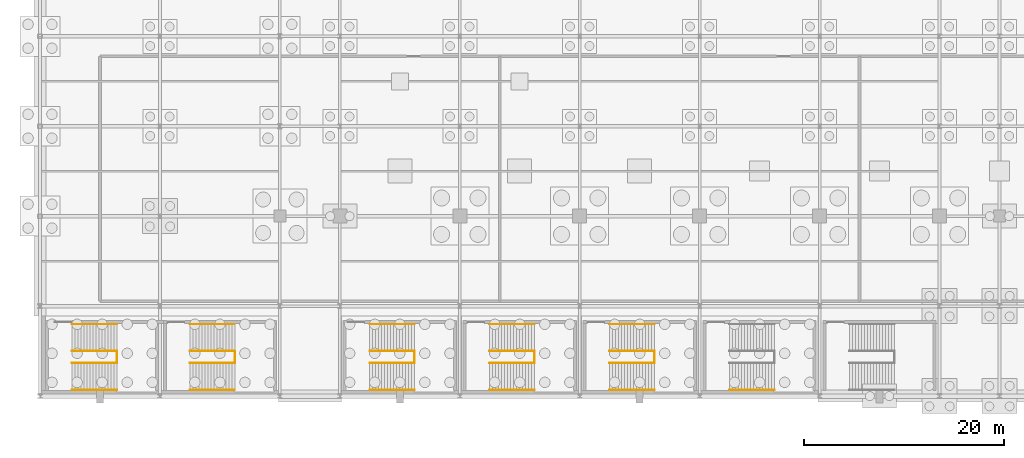
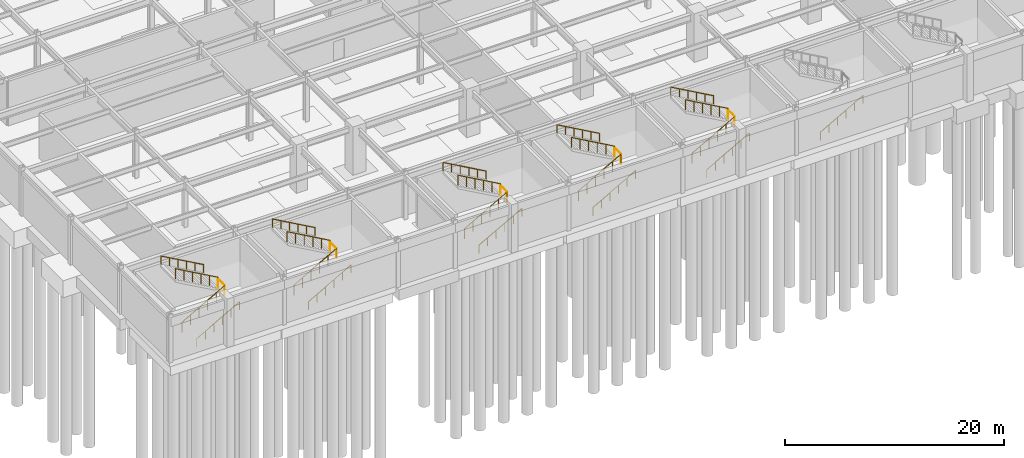
# One storey, part 39 of 47: 26 railings.
"""IFC4 building model written with IfcOpenShell, lengths in metres."""

from ifc_helpers import new_model, si_unit, direction, frame, origin, origin_2d, place, context, subcontext, project, spatial, circle, extrude, material, type_object, element, save


model = new_model("IFC4")

# Units and contexts
model_context = context("Model", 3, precision=1e-05, world=origin(), true_north=direction((0.0, 1.0)))
body_context = subcontext(model_context, "Body", "Model", "MODEL_VIEW")
ifc_project = project(units=[si_unit("LENGTHUNIT", "METRE"), si_unit("AREAUNIT", "SQUARE_METRE"), si_unit("VOLUMEUNIT", "CUBIC_METRE"), si_unit("PLANEANGLEUNIT", "RADIAN"), si_unit("MASSUNIT", "GRAM", prefix="KILO")], contexts=[model_context])

# Site, building, storey
site_placement = place(None, origin())
site = spatial("IfcSite", under=ifc_project, at=site_placement, CompositionType="ELEMENT")
building_placement = place(site_placement, origin())
building = spatial("IfcBuilding", under=site, at=building_placement, Name="Kaldorvane Square Convention Centre", CompositionType="ELEMENT")
storey_placement = place(building_placement, frame((0.0, 0.0, -5.399993896484375)))
storey = spatial("IfcBuildingStorey", under=building, at=storey_placement, Name="B01", CompositionType="ELEMENT", Elevation=-5.399993896484375)

# Railings
ifc_material = material(Name="Architectural Painted Steel", Category="steel")
railing_type_1 = type_object("IfcRailingType", Name="RL-GUARD-1120", PredefinedType="BALUSTRADE", material=ifc_material)
railing_1_placement = place(storey_placement, frame((7.7100067138671875, 3.30999755859375, 2.6999969482421875)))
element("IfcRailing", 1, at=railing_1_placement, inside=storey, type_object=railing_type_1, Name="Convention Exit Stair C1 Half-Landing Guard (B01)", PredefinedType="BALUSTRADE", context=body_context, shape_type="SweptSolid", body=[
    extrude(circle(Radius=0.0240020751953125, at=origin_2d()), frame((0.0, 0.0, 1.0959930419921875), z_axis=(0.0, 1.0, 0.0), x_axis=(-1.0, 0.0, 0.0)), (0.0, 0.0, 1.0), 1.19000244140625),
    extrude(circle(Radius=0.02099609375, at=origin_2d()), origin(), (0.0, 0.0, 1.0), 1.071990966796875),
    extrude(circle(Radius=0.02099609375, at=origin_2d()), frame((0.0, 1.19000244140625, 0.0)), (0.0, 0.0, 1.0), 1.071990966796875),
])
railing_2_placement = place(storey_placement, frame((3.2100067138671875, 3.3000030517578125, 0.1687469482421875)))
element("IfcRailing", 2, at=railing_2_placement, inside=storey, type_object=railing_type_1, Name="Convention Exit Stair C1 Flight 1 Guard (B01)", PredefinedType="BALUSTRADE", context=body_context, shape_type="SweptSolid", body=[
    extrude(circle(Radius=0.0240020751953125, at=origin_2d()), frame((0.0, 0.0, 1.0959930419921875), z_axis=(0.871575537125, 0.0, 0.490261239633), x_axis=(0.0, 1.0, 0.0)), (0.0, 0.0, 1.0), 5.1630706787109375),
    extrude(circle(Radius=0.02099609375, at=origin_2d()), origin(), (0.0, 0.0, 1.0), 1.071990966796875),
    extrude(circle(Radius=0.02099609375, at=origin_2d()), frame((0.899993896484375, 0.0, 0.506256103515625)), (0.0, 0.0, 1.0), 1.071990966796875),
    extrude(circle(Radius=0.02099609375, at=origin_2d()), frame((1.8000030517578125, 0.0, 1.0124969482421875)), (0.0, 0.0, 1.0), 1.071990966796875),
    extrude(circle(Radius=0.02099609375, at=origin_2d()), frame((2.6999969482421875, 0.0, 1.5187530517578125)), (0.0, 0.0, 1.0), 1.071990966796875),
    extrude(circle(Radius=0.02099609375, at=origin_2d()), frame((3.600006103515625, 0.0, 2.024993896484375)), (0.0, 0.0, 1.0), 1.071990966796875),
    extrude(circle(Radius=0.02099609375, at=origin_2d()), frame((4.5, 0.0, 2.53125)), (0.0, 0.0, 1.0), 1.071990966796875),
])
railing_3_placement = place(storey_placement, frame((7.7100067138671875, 4.5099945068359375, 2.868743896484375)))
element("IfcRailing", 3, at=railing_3_placement, inside=storey, type_object=railing_type_1, Name="Convention Exit Stair C1 Flight 2 Guard (B01)", PredefinedType="BALUSTRADE", context=body_context, shape_type="SweptSolid", body=[
    extrude(circle(Radius=0.0240020751953125, at=origin_2d()), frame((0.0, 0.0, 1.0959930419921875), z_axis=(-0.871575537125, 0.0, 0.490261239633), x_axis=(0.0, -1.0, 0.0)), (0.0, 0.0, 1.0), 5.1630706787109375),
    extrude(circle(Radius=0.02099609375, at=origin_2d()), origin(), (0.0, 0.0, 1.0), 1.071990966796875),
    extrude(circle(Radius=0.02099609375, at=origin_2d()), frame((-0.899993896484375, 0.0, 0.506256103515625)), (0.0, 0.0, 1.0), 1.071990966796875),
    extrude(circle(Radius=0.02099609375, at=origin_2d()), frame((-1.8000030517578125, 0.0, 1.0124969482421875)), (0.0, 0.0, 1.0), 1.071990966796875),
    extrude(circle(Radius=0.02099609375, at=origin_2d()), frame((-2.6999969482421875, 0.0, 1.5187530517578125)), (0.0, 0.0, 1.0), 1.071990966796875),
    extrude(circle(Radius=0.02099609375, at=origin_2d()), frame((-3.600006103515625, 0.0, 2.024993896484375)), (0.0, 0.0, 1.0), 1.071990966796875),
    extrude(circle(Radius=0.02099609375, at=origin_2d()), frame((-4.5, 0.0, 2.53125)), (0.0, 0.0, 1.0), 1.071990966796875),
])
railing_4_placement = place(storey_placement, frame((19.490005493164062, 3.30999755859375, 2.6999969482421875)))
element("IfcRailing", 4, at=railing_4_placement, inside=storey, type_object=railing_type_1, Name="Convention Exit Stair C2 Half-Landing Guard (B01)", PredefinedType="BALUSTRADE", context=body_context, shape_type="SweptSolid", body=[
    extrude(circle(Radius=0.0240020751953125, at=origin_2d()), frame((0.0, 0.0, 1.0959930419921875), z_axis=(0.0, 1.0, 0.0), x_axis=(-1.0, 0.0, 0.0)), (0.0, 0.0, 1.0), 1.19000244140625),
    extrude(circle(Radius=0.02099609375, at=origin_2d()), origin(), (0.0, 0.0, 1.0), 1.071990966796875),
    extrude(circle(Radius=0.02099609375, at=origin_2d()), frame((0.0, 1.19000244140625, 0.0)), (0.0, 0.0, 1.0), 1.071990966796875),
])
railing_5_placement = place(storey_placement, frame((14.990005493164062, 3.3000030517578125, 0.1687469482421875)))
element("IfcRailing", 5, at=railing_5_placement, inside=storey, type_object=railing_type_1, Name="Convention Exit Stair C2 Flight 1 Guard (B01)", PredefinedType="BALUSTRADE", context=body_context, shape_type="SweptSolid", body=[
    extrude(circle(Radius=0.0240020751953125, at=origin_2d()), frame((0.0, 0.0, 1.0959930419921875), z_axis=(0.871575537125, 0.0, 0.490261239633), x_axis=(0.0, 1.0, 0.0)), (0.0, 0.0, 1.0), 5.1630706787109375),
    extrude(circle(Radius=0.02099609375, at=origin_2d()), origin(), (0.0, 0.0, 1.0), 1.071990966796875),
    extrude(circle(Radius=0.02099609375, at=origin_2d()), frame((0.899993896484375, 0.0, 0.506256103515625)), (0.0, 0.0, 1.0), 1.071990966796875),
    extrude(circle(Radius=0.02099609375, at=origin_2d()), frame((1.8000030517578125, 0.0, 1.0124969482421875)), (0.0, 0.0, 1.0), 1.071990966796875),
    extrude(circle(Radius=0.02099609375, at=origin_2d()), frame((2.6999969482421875, 0.0, 1.5187530517578125)), (0.0, 0.0, 1.0), 1.071990966796875),
    extrude(circle(Radius=0.02099609375, at=origin_2d()), frame((3.600006103515625, 0.0, 2.024993896484375)), (0.0, 0.0, 1.0), 1.071990966796875),
    extrude(circle(Radius=0.02099609375, at=origin_2d()), frame((4.5, 0.0, 2.53125)), (0.0, 0.0, 1.0), 1.071990966796875),
])
railing_6_placement = place(storey_placement, frame((19.490005493164062, 4.5099945068359375, 2.868743896484375)))
element("IfcRailing", 6, at=railing_6_placement, inside=storey, type_object=railing_type_1, Name="Convention Exit Stair C2 Flight 2 Guard (B01)", PredefinedType="BALUSTRADE", context=body_context, shape_type="SweptSolid", body=[
    extrude(circle(Radius=0.0240020751953125, at=origin_2d()), frame((0.0, 0.0, 1.0959930419921875), z_axis=(-0.871575537125, 0.0, 0.490261239633), x_axis=(0.0, -1.0, 0.0)), (0.0, 0.0, 1.0), 5.1630706787109375),
    extrude(circle(Radius=0.02099609375, at=origin_2d()), origin(), (0.0, 0.0, 1.0), 1.071990966796875),
    extrude(circle(Radius=0.02099609375, at=origin_2d()), frame((-0.899993896484375, 0.0, 0.506256103515625)), (0.0, 0.0, 1.0), 1.071990966796875),
    extrude(circle(Radius=0.02099609375, at=origin_2d()), frame((-1.8000030517578125, 0.0, 1.0124969482421875)), (0.0, 0.0, 1.0), 1.071990966796875),
    extrude(circle(Radius=0.02099609375, at=origin_2d()), frame((-2.6999969482421875, 0.0, 1.5187530517578125)), (0.0, 0.0, 1.0), 1.071990966796875),
    extrude(circle(Radius=0.02099609375, at=origin_2d()), frame((-3.600006103515625, 0.0, 2.024993896484375)), (0.0, 0.0, 1.0), 1.071990966796875),
    extrude(circle(Radius=0.02099609375, at=origin_2d()), frame((-4.5, 0.0, 2.53125)), (0.0, 0.0, 1.0), 1.071990966796875),
])
railing_7_placement = place(storey_placement, frame((37.49000549316406, 3.30999755859375, 2.6999969482421875)))
element("IfcRailing", 7, at=railing_7_placement, inside=storey, type_object=railing_type_1, Name="Convention Exit Stair C3 Half-Landing Guard (B01)", PredefinedType="BALUSTRADE", context=body_context, shape_type="SweptSolid", body=[
    extrude(circle(Radius=0.0240020751953125, at=origin_2d()), frame((0.0, 0.0, 1.0959930419921875), z_axis=(0.0, 1.0, 0.0), x_axis=(-1.0, 0.0, 0.0)), (0.0, 0.0, 1.0), 1.19000244140625),
    extrude(circle(Radius=0.02099609375, at=origin_2d()), origin(), (0.0, 0.0, 1.0), 1.071990966796875),
    extrude(circle(Radius=0.02099609375, at=origin_2d()), frame((0.0, 1.19000244140625, 0.0)), (0.0, 0.0, 1.0), 1.071990966796875),
])
railing_8_placement = place(storey_placement, frame((32.99000549316406, 3.3000030517578125, 0.1687469482421875)))
element("IfcRailing", 8, at=railing_8_placement, inside=storey, type_object=railing_type_1, Name="Convention Exit Stair C3 Flight 1 Guard (B01)", PredefinedType="BALUSTRADE", context=body_context, shape_type="SweptSolid", body=[
    extrude(circle(Radius=0.0240020751953125, at=origin_2d()), frame((0.0, 0.0, 1.0959930419921875), z_axis=(0.871575537125, 0.0, 0.490261239633), x_axis=(0.0, 1.0, 0.0)), (0.0, 0.0, 1.0), 5.1630706787109375),
    extrude(circle(Radius=0.02099609375, at=origin_2d()), origin(), (0.0, 0.0, 1.0), 1.071990966796875),
    extrude(circle(Radius=0.02099609375, at=origin_2d()), frame((0.899993896484375, 0.0, 0.506256103515625)), (0.0, 0.0, 1.0), 1.071990966796875),
    extrude(circle(Radius=0.02099609375, at=origin_2d()), frame((1.8000030517578125, 0.0, 1.0124969482421875)), (0.0, 0.0, 1.0), 1.071990966796875),
    extrude(circle(Radius=0.02099609375, at=origin_2d()), frame((2.6999969482421875, 0.0, 1.5187530517578125)), (0.0, 0.0, 1.0), 1.071990966796875),
    extrude(circle(Radius=0.02099609375, at=origin_2d()), frame((3.600006103515625, 0.0, 2.024993896484375)), (0.0, 0.0, 1.0), 1.071990966796875),
    extrude(circle(Radius=0.02099609375, at=origin_2d()), frame((4.5, 0.0, 2.53125)), (0.0, 0.0, 1.0), 1.071990966796875),
])
railing_9_placement = place(storey_placement, frame((37.49000549316406, 4.5099945068359375, 2.868743896484375)))
element("IfcRailing", 9, at=railing_9_placement, inside=storey, type_object=railing_type_1, Name="Convention Exit Stair C3 Flight 2 Guard (B01)", PredefinedType="BALUSTRADE", context=body_context, shape_type="SweptSolid", body=[
    extrude(circle(Radius=0.0240020751953125, at=origin_2d()), frame((0.0, 0.0, 1.0959930419921875), z_axis=(-0.871575537125, 0.0, 0.490261239633), x_axis=(0.0, -1.0, 0.0)), (0.0, 0.0, 1.0), 5.1630706787109375),
    extrude(circle(Radius=0.02099609375, at=origin_2d()), origin(), (0.0, 0.0, 1.0), 1.071990966796875),
    extrude(circle(Radius=0.02099609375, at=origin_2d()), frame((-0.899993896484375, 0.0, 0.506256103515625)), (0.0, 0.0, 1.0), 1.071990966796875),
    extrude(circle(Radius=0.02099609375, at=origin_2d()), frame((-1.8000030517578125, 0.0, 1.0124969482421875)), (0.0, 0.0, 1.0), 1.071990966796875),
    extrude(circle(Radius=0.02099609375, at=origin_2d()), frame((-2.6999969482421875, 0.0, 1.5187530517578125)), (0.0, 0.0, 1.0), 1.071990966796875),
    extrude(circle(Radius=0.02099609375, at=origin_2d()), frame((-3.600006103515625, 0.0, 2.024993896484375)), (0.0, 0.0, 1.0), 1.071990966796875),
    extrude(circle(Radius=0.02099609375, at=origin_2d()), frame((-4.5, 0.0, 2.53125)), (0.0, 0.0, 1.0), 1.071990966796875),
])
railing_10_placement = place(storey_placement, frame((49.49000549316406, 3.30999755859375, 2.6999969482421875)))
element("IfcRailing", 10, at=railing_10_placement, inside=storey, type_object=railing_type_1, Name="Convention Exit Stair C4 Half-Landing Guard (B01)", PredefinedType="BALUSTRADE", context=body_context, shape_type="SweptSolid", body=[
    extrude(circle(Radius=0.0240020751953125, at=origin_2d()), frame((0.0, 0.0, 1.0959930419921875), z_axis=(0.0, 1.0, 0.0), x_axis=(-1.0, 0.0, 0.0)), (0.0, 0.0, 1.0), 1.19000244140625),
    extrude(circle(Radius=0.02099609375, at=origin_2d()), origin(), (0.0, 0.0, 1.0), 1.071990966796875),
    extrude(circle(Radius=0.02099609375, at=origin_2d()), frame((0.0, 1.19000244140625, 0.0)), (0.0, 0.0, 1.0), 1.071990966796875),
])
railing_11_placement = place(storey_placement, frame((44.99000549316406, 3.3000030517578125, 0.1687469482421875)))
element("IfcRailing", 11, at=railing_11_placement, inside=storey, type_object=railing_type_1, Name="Convention Exit Stair C4 Flight 1 Guard (B01)", PredefinedType="BALUSTRADE", context=body_context, shape_type="SweptSolid", body=[
    extrude(circle(Radius=0.0240020751953125, at=origin_2d()), frame((0.0, 0.0, 1.0959930419921875), z_axis=(0.871575537125, 0.0, 0.490261239633), x_axis=(0.0, 1.0, 0.0)), (0.0, 0.0, 1.0), 5.1630706787109375),
    extrude(circle(Radius=0.02099609375, at=origin_2d()), origin(), (0.0, 0.0, 1.0), 1.071990966796875),
    extrude(circle(Radius=0.02099609375, at=origin_2d()), frame((0.899993896484375, 0.0, 0.506256103515625)), (0.0, 0.0, 1.0), 1.071990966796875),
    extrude(circle(Radius=0.02099609375, at=origin_2d()), frame((1.8000030517578125, 0.0, 1.0124969482421875)), (0.0, 0.0, 1.0), 1.071990966796875),
    extrude(circle(Radius=0.02099609375, at=origin_2d()), frame((2.6999969482421875, 0.0, 1.5187530517578125)), (0.0, 0.0, 1.0), 1.071990966796875),
    extrude(circle(Radius=0.02099609375, at=origin_2d()), frame((3.600006103515625, 0.0, 2.024993896484375)), (0.0, 0.0, 1.0), 1.071990966796875),
    extrude(circle(Radius=0.02099609375, at=origin_2d()), frame((4.5, 0.0, 2.53125)), (0.0, 0.0, 1.0), 1.071990966796875),
])
railing_12_placement = place(storey_placement, frame((49.49000549316406, 4.5099945068359375, 2.868743896484375)))
element("IfcRailing", 12, at=railing_12_placement, inside=storey, type_object=railing_type_1, Name="Convention Exit Stair C4 Flight 2 Guard (B01)", PredefinedType="BALUSTRADE", context=body_context, shape_type="SweptSolid", body=[
    extrude(circle(Radius=0.0240020751953125, at=origin_2d()), frame((0.0, 0.0, 1.0959930419921875), z_axis=(-0.871575537125, 0.0, 0.490261239633), x_axis=(0.0, -1.0, 0.0)), (0.0, 0.0, 1.0), 5.1630706787109375),
    extrude(circle(Radius=0.02099609375, at=origin_2d()), origin(), (0.0, 0.0, 1.0), 1.071990966796875),
    extrude(circle(Radius=0.02099609375, at=origin_2d()), frame((-0.899993896484375, 0.0, 0.506256103515625)), (0.0, 0.0, 1.0), 1.071990966796875),
    extrude(circle(Radius=0.02099609375, at=origin_2d()), frame((-1.8000030517578125, 0.0, 1.0124969482421875)), (0.0, 0.0, 1.0), 1.071990966796875),
    extrude(circle(Radius=0.02099609375, at=origin_2d()), frame((-2.6999969482421875, 0.0, 1.5187530517578125)), (0.0, 0.0, 1.0), 1.071990966796875),
    extrude(circle(Radius=0.02099609375, at=origin_2d()), frame((-3.600006103515625, 0.0, 2.024993896484375)), (0.0, 0.0, 1.0), 1.071990966796875),
    extrude(circle(Radius=0.02099609375, at=origin_2d()), frame((-4.5, 0.0, 2.53125)), (0.0, 0.0, 1.0), 1.071990966796875),
])
railing_13_placement = place(storey_placement, frame((61.49000549316406, 3.30999755859375, 2.6999969482421875)))
element("IfcRailing", 13, at=railing_13_placement, inside=storey, type_object=railing_type_1, Name="Convention Exit Stair C5 Half-Landing Guard (B01)", PredefinedType="BALUSTRADE", context=body_context, shape_type="SweptSolid", body=[
    extrude(circle(Radius=0.0240020751953125, at=origin_2d()), frame((0.0, 0.0, 1.0959930419921875), z_axis=(0.0, 1.0, 0.0), x_axis=(-1.0, 0.0, 0.0)), (0.0, 0.0, 1.0), 1.19000244140625),
    extrude(circle(Radius=0.02099609375, at=origin_2d()), origin(), (0.0, 0.0, 1.0), 1.071990966796875),
    extrude(circle(Radius=0.02099609375, at=origin_2d()), frame((0.0, 1.19000244140625, 0.0)), (0.0, 0.0, 1.0), 1.071990966796875),
])
railing_14_placement = place(storey_placement, frame((56.99000549316406, 3.3000030517578125, 0.1687469482421875)))
element("IfcRailing", 14, at=railing_14_placement, inside=storey, type_object=railing_type_1, Name="Convention Exit Stair C5 Flight 1 Guard (B01)", PredefinedType="BALUSTRADE", context=body_context, shape_type="SweptSolid", body=[
    extrude(circle(Radius=0.0240020751953125, at=origin_2d()), frame((0.0, 0.0, 1.0959930419921875), z_axis=(0.871575537125, 0.0, 0.490261239633), x_axis=(0.0, 1.0, 0.0)), (0.0, 0.0, 1.0), 5.1630706787109375),
    extrude(circle(Radius=0.02099609375, at=origin_2d()), origin(), (0.0, 0.0, 1.0), 1.071990966796875),
    extrude(circle(Radius=0.02099609375, at=origin_2d()), frame((0.899993896484375, 0.0, 0.506256103515625)), (0.0, 0.0, 1.0), 1.071990966796875),
    extrude(circle(Radius=0.02099609375, at=origin_2d()), frame((1.8000030517578125, 0.0, 1.0124969482421875)), (0.0, 0.0, 1.0), 1.071990966796875),
    extrude(circle(Radius=0.02099609375, at=origin_2d()), frame((2.6999969482421875, 0.0, 1.5187530517578125)), (0.0, 0.0, 1.0), 1.071990966796875),
    extrude(circle(Radius=0.02099609375, at=origin_2d()), frame((3.600006103515625, 0.0, 2.024993896484375)), (0.0, 0.0, 1.0), 1.071990966796875),
    extrude(circle(Radius=0.02099609375, at=origin_2d()), frame((4.5, 0.0, 2.53125)), (0.0, 0.0, 1.0), 1.071990966796875),
])
railing_15_placement = place(storey_placement, frame((61.49000549316406, 4.5099945068359375, 2.868743896484375)))
element("IfcRailing", 15, at=railing_15_placement, inside=storey, type_object=railing_type_1, Name="Convention Exit Stair C5 Flight 2 Guard (B01)", PredefinedType="BALUSTRADE", context=body_context, shape_type="SweptSolid", body=[
    extrude(circle(Radius=0.0240020751953125, at=origin_2d()), frame((0.0, 0.0, 1.0959930419921875), z_axis=(-0.871575537125, 0.0, 0.490261239633), x_axis=(0.0, -1.0, 0.0)), (0.0, 0.0, 1.0), 5.1630706787109375),
    extrude(circle(Radius=0.02099609375, at=origin_2d()), origin(), (0.0, 0.0, 1.0), 1.071990966796875),
    extrude(circle(Radius=0.02099609375, at=origin_2d()), frame((-0.899993896484375, 0.0, 0.506256103515625)), (0.0, 0.0, 1.0), 1.071990966796875),
    extrude(circle(Radius=0.02099609375, at=origin_2d()), frame((-1.8000030517578125, 0.0, 1.0124969482421875)), (0.0, 0.0, 1.0), 1.071990966796875),
    extrude(circle(Radius=0.02099609375, at=origin_2d()), frame((-2.6999969482421875, 0.0, 1.5187530517578125)), (0.0, 0.0, 1.0), 1.071990966796875),
    extrude(circle(Radius=0.02099609375, at=origin_2d()), frame((-3.600006103515625, 0.0, 2.024993896484375)), (0.0, 0.0, 1.0), 1.071990966796875),
    extrude(circle(Radius=0.02099609375, at=origin_2d()), frame((-4.5, 0.0, 2.53125)), (0.0, 0.0, 1.0), 1.071990966796875),
])
railing_type_2 = type_object("IfcRailingType", Name="RL-HAND-915", PredefinedType="HANDRAIL", material=ifc_material)
railing_16_placement = place(storey_placement, frame((3.2100067138671875, 0.6199951171875, 0.1687469482421875)))
element("IfcRailing", 16, at=railing_16_placement, inside=storey, type_object=railing_type_2, Name="Convention Exit Stair C1 Wall Handrail 1 (B01)", PredefinedType="HANDRAIL", context=body_context, shape_type="SweptSolid", body=[
    extrude(circle(Radius=0.0240020751953125, at=origin_2d()), frame((0.0, 0.0, 0.8909912109375), z_axis=(0.871575537125, 0.0, 0.490261239633), x_axis=(0.0, 1.0, 0.0)), (0.0, 0.0, 1.0), 5.1630706787109375),
    extrude(circle(Radius=0.02099609375, at=origin_2d()), origin(), (0.0, 0.0, 1.0), 0.8669891357421875),
    extrude(circle(Radius=0.02099609375, at=origin_2d()), frame((0.899993896484375, 0.0, 0.506256103515625)), (0.0, 0.0, 1.0), 0.8669891357421875),
    extrude(circle(Radius=0.02099609375, at=origin_2d()), frame((1.8000030517578125, 0.0, 1.0124969482421875)), (0.0, 0.0, 1.0), 0.8669891357421875),
    extrude(circle(Radius=0.02099609375, at=origin_2d()), frame((2.6999969482421875, 0.0, 1.5187530517578125)), (0.0, 0.0, 1.0), 0.8669891357421875),
    extrude(circle(Radius=0.02099609375, at=origin_2d()), frame((3.600006103515625, 0.0, 2.024993896484375)), (0.0, 0.0, 1.0), 0.8669891357421875),
    extrude(circle(Radius=0.02099609375, at=origin_2d()), frame((4.5, 0.0, 2.53125)), (0.0, 0.0, 1.0), 0.8669891357421875),
])
railing_17_placement = place(storey_placement, frame((7.7100067138671875, 7.19000244140625, 2.868743896484375)))
element("IfcRailing", 17, at=railing_17_placement, inside=storey, type_object=railing_type_2, Name="Convention Exit Stair C1 Wall Handrail 2 (B01)", PredefinedType="HANDRAIL", context=body_context, shape_type="SweptSolid", body=[
    extrude(circle(Radius=0.0240020751953125, at=origin_2d()), frame((0.0, 0.0, 0.8909912109375), z_axis=(-0.871575537125, 0.0, 0.490261239633), x_axis=(0.0, -1.0, 0.0)), (0.0, 0.0, 1.0), 5.1630706787109375),
    extrude(circle(Radius=0.02099609375, at=origin_2d()), origin(), (0.0, 0.0, 1.0), 0.8669891357421875),
    extrude(circle(Radius=0.02099609375, at=origin_2d()), frame((-0.899993896484375, 0.0, 0.506256103515625)), (0.0, 0.0, 1.0), 0.8669891357421875),
    extrude(circle(Radius=0.02099609375, at=origin_2d()), frame((-1.8000030517578125, 0.0, 1.0124969482421875)), (0.0, 0.0, 1.0), 0.8669891357421875),
    extrude(circle(Radius=0.02099609375, at=origin_2d()), frame((-2.6999969482421875, 0.0, 1.5187530517578125)), (0.0, 0.0, 1.0), 0.8669891357421875),
    extrude(circle(Radius=0.02099609375, at=origin_2d()), frame((-3.600006103515625, 0.0, 2.024993896484375)), (0.0, 0.0, 1.0), 0.8669891357421875),
    extrude(circle(Radius=0.02099609375, at=origin_2d()), frame((-4.5, 0.0, 2.53125)), (0.0, 0.0, 1.0), 0.8669891357421875),
])
railing_18_placement = place(storey_placement, frame((14.990005493164062, 0.6199951171875, 0.1687469482421875)))
element("IfcRailing", 18, at=railing_18_placement, inside=storey, type_object=railing_type_2, Name="Convention Exit Stair C2 Wall Handrail 1 (B01)", PredefinedType="HANDRAIL", context=body_context, shape_type="SweptSolid", body=[
    extrude(circle(Radius=0.0240020751953125, at=origin_2d()), frame((0.0, 0.0, 0.8909912109375), z_axis=(0.871575537125, 0.0, 0.490261239633), x_axis=(0.0, 1.0, 0.0)), (0.0, 0.0, 1.0), 5.1630706787109375),
    extrude(circle(Radius=0.02099609375, at=origin_2d()), origin(), (0.0, 0.0, 1.0), 0.8669891357421875),
    extrude(circle(Radius=0.02099609375, at=origin_2d()), frame((0.899993896484375, 0.0, 0.506256103515625)), (0.0, 0.0, 1.0), 0.8669891357421875),
    extrude(circle(Radius=0.02099609375, at=origin_2d()), frame((1.8000030517578125, 0.0, 1.0124969482421875)), (0.0, 0.0, 1.0), 0.8669891357421875),
    extrude(circle(Radius=0.02099609375, at=origin_2d()), frame((2.6999969482421875, 0.0, 1.5187530517578125)), (0.0, 0.0, 1.0), 0.8669891357421875),
    extrude(circle(Radius=0.02099609375, at=origin_2d()), frame((3.600006103515625, 0.0, 2.024993896484375)), (0.0, 0.0, 1.0), 0.8669891357421875),
    extrude(circle(Radius=0.02099609375, at=origin_2d()), frame((4.5, 0.0, 2.53125)), (0.0, 0.0, 1.0), 0.8669891357421875),
])
railing_19_placement = place(storey_placement, frame((19.490005493164062, 7.19000244140625, 2.868743896484375)))
element("IfcRailing", 19, at=railing_19_placement, inside=storey, type_object=railing_type_2, Name="Convention Exit Stair C2 Wall Handrail 2 (B01)", PredefinedType="HANDRAIL", context=body_context, shape_type="SweptSolid", body=[
    extrude(circle(Radius=0.0240020751953125, at=origin_2d()), frame((0.0, 0.0, 0.8909912109375), z_axis=(-0.871575537125, 0.0, 0.490261239633), x_axis=(0.0, -1.0, 0.0)), (0.0, 0.0, 1.0), 5.1630706787109375),
    extrude(circle(Radius=0.02099609375, at=origin_2d()), origin(), (0.0, 0.0, 1.0), 0.8669891357421875),
    extrude(circle(Radius=0.02099609375, at=origin_2d()), frame((-0.899993896484375, 0.0, 0.506256103515625)), (0.0, 0.0, 1.0), 0.8669891357421875),
    extrude(circle(Radius=0.02099609375, at=origin_2d()), frame((-1.8000030517578125, 0.0, 1.0124969482421875)), (0.0, 0.0, 1.0), 0.8669891357421875),
    extrude(circle(Radius=0.02099609375, at=origin_2d()), frame((-2.6999969482421875, 0.0, 1.5187530517578125)), (0.0, 0.0, 1.0), 0.8669891357421875),
    extrude(circle(Radius=0.02099609375, at=origin_2d()), frame((-3.600006103515625, 0.0, 2.024993896484375)), (0.0, 0.0, 1.0), 0.8669891357421875),
    extrude(circle(Radius=0.02099609375, at=origin_2d()), frame((-4.5, 0.0, 2.53125)), (0.0, 0.0, 1.0), 0.8669891357421875),
])
railing_20_placement = place(storey_placement, frame((32.99000549316406, 0.6199951171875, 0.1687469482421875)))
element("IfcRailing", 20, at=railing_20_placement, inside=storey, type_object=railing_type_2, Name="Convention Exit Stair C3 Wall Handrail 1 (B01)", PredefinedType="HANDRAIL", context=body_context, shape_type="SweptSolid", body=[
    extrude(circle(Radius=0.0240020751953125, at=origin_2d()), frame((0.0, 0.0, 0.8909912109375), z_axis=(0.871575537125, 0.0, 0.490261239633), x_axis=(0.0, 1.0, 0.0)), (0.0, 0.0, 1.0), 5.1630706787109375),
    extrude(circle(Radius=0.02099609375, at=origin_2d()), origin(), (0.0, 0.0, 1.0), 0.8669891357421875),
    extrude(circle(Radius=0.02099609375, at=origin_2d()), frame((0.899993896484375, 0.0, 0.506256103515625)), (0.0, 0.0, 1.0), 0.8669891357421875),
    extrude(circle(Radius=0.02099609375, at=origin_2d()), frame((1.8000030517578125, 0.0, 1.0124969482421875)), (0.0, 0.0, 1.0), 0.8669891357421875),
    extrude(circle(Radius=0.02099609375, at=origin_2d()), frame((2.6999969482421875, 0.0, 1.5187530517578125)), (0.0, 0.0, 1.0), 0.8669891357421875),
    extrude(circle(Radius=0.02099609375, at=origin_2d()), frame((3.600006103515625, 0.0, 2.024993896484375)), (0.0, 0.0, 1.0), 0.8669891357421875),
    extrude(circle(Radius=0.02099609375, at=origin_2d()), frame((4.5, 0.0, 2.53125)), (0.0, 0.0, 1.0), 0.8669891357421875),
])
railing_21_placement = place(storey_placement, frame((37.49000549316406, 7.19000244140625, 2.868743896484375)))
element("IfcRailing", 21, at=railing_21_placement, inside=storey, type_object=railing_type_2, Name="Convention Exit Stair C3 Wall Handrail 2 (B01)", PredefinedType="HANDRAIL", context=body_context, shape_type="SweptSolid", body=[
    extrude(circle(Radius=0.0240020751953125, at=origin_2d()), frame((0.0, 0.0, 0.8909912109375), z_axis=(-0.871575537125, 0.0, 0.490261239633), x_axis=(0.0, -1.0, 0.0)), (0.0, 0.0, 1.0), 5.1630706787109375),
    extrude(circle(Radius=0.02099609375, at=origin_2d()), origin(), (0.0, 0.0, 1.0), 0.8669891357421875),
    extrude(circle(Radius=0.02099609375, at=origin_2d()), frame((-0.899993896484375, 0.0, 0.506256103515625)), (0.0, 0.0, 1.0), 0.8669891357421875),
    extrude(circle(Radius=0.02099609375, at=origin_2d()), frame((-1.8000030517578125, 0.0, 1.0124969482421875)), (0.0, 0.0, 1.0), 0.8669891357421875),
    extrude(circle(Radius=0.02099609375, at=origin_2d()), frame((-2.6999969482421875, 0.0, 1.5187530517578125)), (0.0, 0.0, 1.0), 0.8669891357421875),
    extrude(circle(Radius=0.02099609375, at=origin_2d()), frame((-3.600006103515625, 0.0, 2.024993896484375)), (0.0, 0.0, 1.0), 0.8669891357421875),
    extrude(circle(Radius=0.02099609375, at=origin_2d()), frame((-4.5, 0.0, 2.53125)), (0.0, 0.0, 1.0), 0.8669891357421875),
])
railing_22_placement = place(storey_placement, frame((44.99000549316406, 0.6199951171875, 0.1687469482421875)))
element("IfcRailing", 22, at=railing_22_placement, inside=storey, type_object=railing_type_2, Name="Convention Exit Stair C4 Wall Handrail 1 (B01)", PredefinedType="HANDRAIL", context=body_context, shape_type="SweptSolid", body=[
    extrude(circle(Radius=0.0240020751953125, at=origin_2d()), frame((0.0, 0.0, 0.8909912109375), z_axis=(0.871575537125, 0.0, 0.490261239633), x_axis=(0.0, 1.0, 0.0)), (0.0, 0.0, 1.0), 5.1630706787109375),
    extrude(circle(Radius=0.02099609375, at=origin_2d()), origin(), (0.0, 0.0, 1.0), 0.8669891357421875),
    extrude(circle(Radius=0.02099609375, at=origin_2d()), frame((0.899993896484375, 0.0, 0.506256103515625)), (0.0, 0.0, 1.0), 0.8669891357421875),
    extrude(circle(Radius=0.02099609375, at=origin_2d()), frame((1.8000030517578125, 0.0, 1.0124969482421875)), (0.0, 0.0, 1.0), 0.8669891357421875),
    extrude(circle(Radius=0.02099609375, at=origin_2d()), frame((2.6999969482421875, 0.0, 1.5187530517578125)), (0.0, 0.0, 1.0), 0.8669891357421875),
    extrude(circle(Radius=0.02099609375, at=origin_2d()), frame((3.600006103515625, 0.0, 2.024993896484375)), (0.0, 0.0, 1.0), 0.8669891357421875),
    extrude(circle(Radius=0.02099609375, at=origin_2d()), frame((4.5, 0.0, 2.53125)), (0.0, 0.0, 1.0), 0.8669891357421875),
])
railing_23_placement = place(storey_placement, frame((49.49000549316406, 7.19000244140625, 2.868743896484375)))
element("IfcRailing", 23, at=railing_23_placement, inside=storey, type_object=railing_type_2, Name="Convention Exit Stair C4 Wall Handrail 2 (B01)", PredefinedType="HANDRAIL", context=body_context, shape_type="SweptSolid", body=[
    extrude(circle(Radius=0.0240020751953125, at=origin_2d()), frame((0.0, 0.0, 0.8909912109375), z_axis=(-0.871575537125, 0.0, 0.490261239633), x_axis=(0.0, -1.0, 0.0)), (0.0, 0.0, 1.0), 5.1630706787109375),
    extrude(circle(Radius=0.02099609375, at=origin_2d()), origin(), (0.0, 0.0, 1.0), 0.8669891357421875),
    extrude(circle(Radius=0.02099609375, at=origin_2d()), frame((-0.899993896484375, 0.0, 0.506256103515625)), (0.0, 0.0, 1.0), 0.8669891357421875),
    extrude(circle(Radius=0.02099609375, at=origin_2d()), frame((-1.8000030517578125, 0.0, 1.0124969482421875)), (0.0, 0.0, 1.0), 0.8669891357421875),
    extrude(circle(Radius=0.02099609375, at=origin_2d()), frame((-2.6999969482421875, 0.0, 1.5187530517578125)), (0.0, 0.0, 1.0), 0.8669891357421875),
    extrude(circle(Radius=0.02099609375, at=origin_2d()), frame((-3.600006103515625, 0.0, 2.024993896484375)), (0.0, 0.0, 1.0), 0.8669891357421875),
    extrude(circle(Radius=0.02099609375, at=origin_2d()), frame((-4.5, 0.0, 2.53125)), (0.0, 0.0, 1.0), 0.8669891357421875),
])
railing_24_placement = place(storey_placement, frame((56.99000549316406, 0.6199951171875, 0.1687469482421875)))
element("IfcRailing", 24, at=railing_24_placement, inside=storey, type_object=railing_type_2, Name="Convention Exit Stair C5 Wall Handrail 1 (B01)", PredefinedType="HANDRAIL", context=body_context, shape_type="SweptSolid", body=[
    extrude(circle(Radius=0.0240020751953125, at=origin_2d()), frame((0.0, 0.0, 0.8909912109375), z_axis=(0.871575537125, 0.0, 0.490261239633), x_axis=(0.0, 1.0, 0.0)), (0.0, 0.0, 1.0), 5.1630706787109375),
    extrude(circle(Radius=0.02099609375, at=origin_2d()), origin(), (0.0, 0.0, 1.0), 0.8669891357421875),
    extrude(circle(Radius=0.02099609375, at=origin_2d()), frame((0.899993896484375, 0.0, 0.506256103515625)), (0.0, 0.0, 1.0), 0.8669891357421875),
    extrude(circle(Radius=0.02099609375, at=origin_2d()), frame((1.8000030517578125, 0.0, 1.0124969482421875)), (0.0, 0.0, 1.0), 0.8669891357421875),
    extrude(circle(Radius=0.02099609375, at=origin_2d()), frame((2.6999969482421875, 0.0, 1.5187530517578125)), (0.0, 0.0, 1.0), 0.8669891357421875),
    extrude(circle(Radius=0.02099609375, at=origin_2d()), frame((3.600006103515625, 0.0, 2.024993896484375)), (0.0, 0.0, 1.0), 0.8669891357421875),
    extrude(circle(Radius=0.02099609375, at=origin_2d()), frame((4.5, 0.0, 2.53125)), (0.0, 0.0, 1.0), 0.8669891357421875),
])
railing_25_placement = place(storey_placement, frame((61.49000549316406, 7.19000244140625, 2.868743896484375)))
element("IfcRailing", 25, at=railing_25_placement, inside=storey, type_object=railing_type_2, Name="Convention Exit Stair C5 Wall Handrail 2 (B01)", PredefinedType="HANDRAIL", context=body_context, shape_type="SweptSolid", body=[
    extrude(circle(Radius=0.0240020751953125, at=origin_2d()), frame((0.0, 0.0, 0.8909912109375), z_axis=(-0.871575537125, 0.0, 0.490261239633), x_axis=(0.0, -1.0, 0.0)), (0.0, 0.0, 1.0), 5.1630706787109375),
    extrude(circle(Radius=0.02099609375, at=origin_2d()), origin(), (0.0, 0.0, 1.0), 0.8669891357421875),
    extrude(circle(Radius=0.02099609375, at=origin_2d()), frame((-0.899993896484375, 0.0, 0.506256103515625)), (0.0, 0.0, 1.0), 0.8669891357421875),
    extrude(circle(Radius=0.02099609375, at=origin_2d()), frame((-1.8000030517578125, 0.0, 1.0124969482421875)), (0.0, 0.0, 1.0), 0.8669891357421875),
    extrude(circle(Radius=0.02099609375, at=origin_2d()), frame((-2.6999969482421875, 0.0, 1.5187530517578125)), (0.0, 0.0, 1.0), 0.8669891357421875),
    extrude(circle(Radius=0.02099609375, at=origin_2d()), frame((-3.600006103515625, 0.0, 2.024993896484375)), (0.0, 0.0, 1.0), 0.8669891357421875),
    extrude(circle(Radius=0.02099609375, at=origin_2d()), frame((-4.5, 0.0, 2.53125)), (0.0, 0.0, 1.0), 0.8669891357421875),
])
railing_26_placement = place(storey_placement, frame((68.99000549316406, 0.6199951171875, 0.1687469482421875)))
element("IfcRailing", 26, at=railing_26_placement, inside=storey, type_object=railing_type_2, Name="Convention Exit Stair C6 Wall Handrail 1 (B01)", PredefinedType="HANDRAIL", context=body_context, shape_type="SweptSolid", body=[
    extrude(circle(Radius=0.0240020751953125, at=origin_2d()), frame((0.0, 0.0, 0.8909912109375), z_axis=(0.871575537125, 0.0, 0.490261239633), x_axis=(0.0, 1.0, 0.0)), (0.0, 0.0, 1.0), 5.1630706787109375),
    extrude(circle(Radius=0.02099609375, at=origin_2d()), origin(), (0.0, 0.0, 1.0), 0.8669891357421875),
    extrude(circle(Radius=0.02099609375, at=origin_2d()), frame((0.899993896484375, 0.0, 0.506256103515625)), (0.0, 0.0, 1.0), 0.8669891357421875),
    extrude(circle(Radius=0.02099609375, at=origin_2d()), frame((1.8000030517578125, 0.0, 1.0124969482421875)), (0.0, 0.0, 1.0), 0.8669891357421875),
    extrude(circle(Radius=0.02099609375, at=origin_2d()), frame((2.6999969482421875, 0.0, 1.5187530517578125)), (0.0, 0.0, 1.0), 0.8669891357421875),
    extrude(circle(Radius=0.02099609375, at=origin_2d()), frame((3.600006103515625, 0.0, 2.024993896484375)), (0.0, 0.0, 1.0), 0.8669891357421875),
    extrude(circle(Radius=0.02099609375, at=origin_2d()), frame((4.5, 0.0, 2.53125)), (0.0, 0.0, 1.0), 0.8669891357421875),
])

save(model, "model.ifc")
